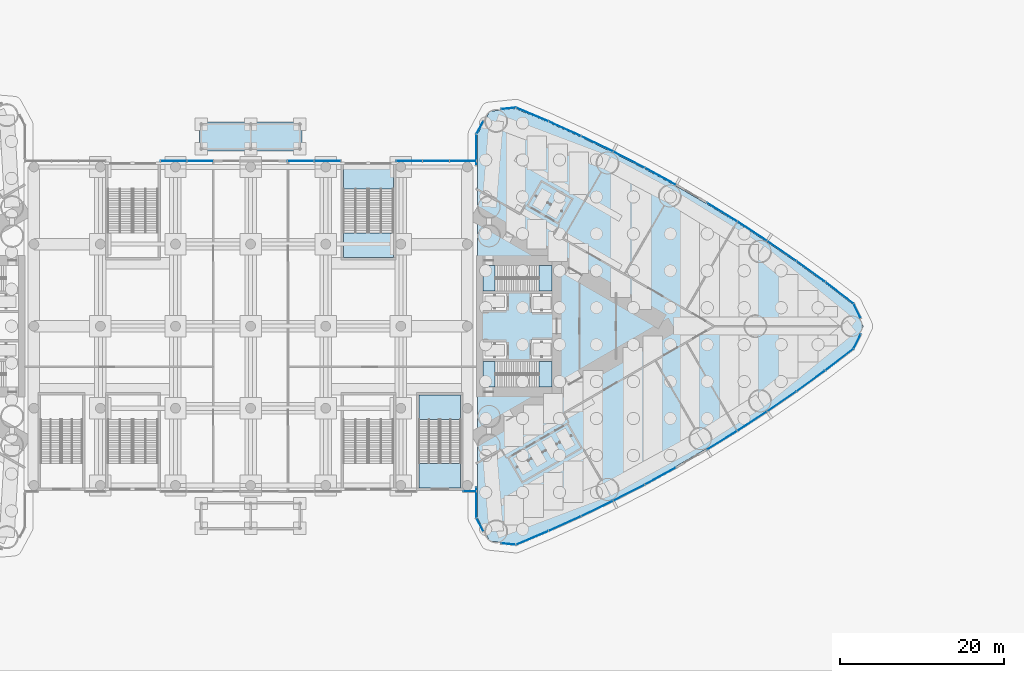
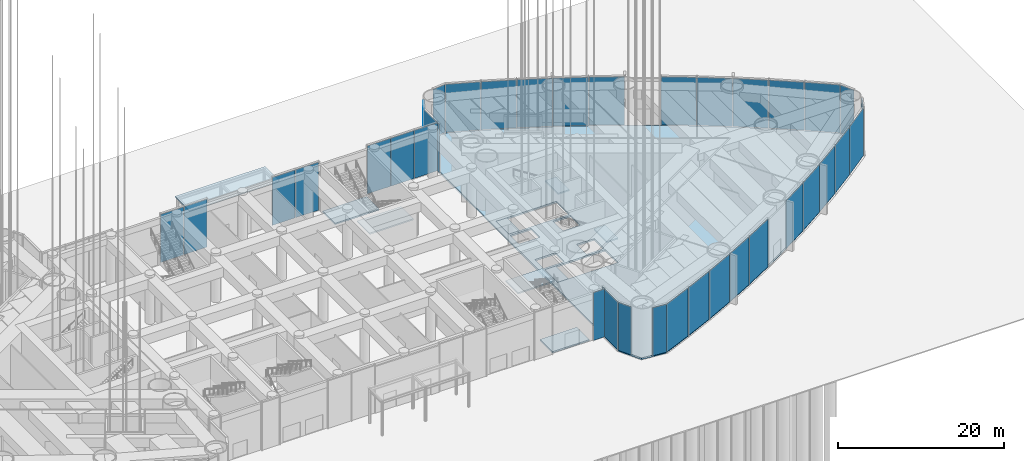
# One storey, part 19 of 43: 36 plates, 10 slabs, 14 elements without a shape of their own.
"""IFC4 building model written with IfcOpenShell, lengths in metres."""

from ifc_helpers import new_model, si_unit, direction, frame, origin, origin_2d, place, context, subcontext, project, spatial, polyline, rectangle, outline, extrude, material, layer, layer_set, type_object, element, aggregate, save


model = new_model("IFC4")

# Units and contexts
model_context = context("Model", 3, precision=1e-05, world=origin(), true_north=direction((0.0, 1.0)))
body_context = subcontext(model_context, "Body", "Model", "MODEL_VIEW")
ifc_project = project(units=[si_unit("LENGTHUNIT", "METRE"), si_unit("AREAUNIT", "SQUARE_METRE"), si_unit("VOLUMEUNIT", "CUBIC_METRE"), si_unit("PLANEANGLEUNIT", "RADIAN"), si_unit("MASSUNIT", "GRAM", prefix="KILO")], contexts=[model_context])

# Site, building, storey
site_placement = place(None, origin())
site = spatial("IfcSite", under=ifc_project, at=site_placement, CompositionType="ELEMENT")
building_placement = place(site_placement, origin())
building = spatial("IfcBuilding", under=site, at=building_placement, Name="Lancet Gate Hotel", CompositionType="ELEMENT")
storey_placement = place(building_placement, origin())
storey = spatial("IfcBuildingStorey", under=building, at=storey_placement, Name="L00", CompositionType="ELEMENT", Elevation=0.0)

# Slabs
ifc_material_1 = material(Name="Concrete C40/50", Category="concrete")
ifc_layer_1 = layer(ifc_material_1, 0.14990234375)
ifc_layer_set_1 = layer_set([ifc_layer_1], Name="Canopy roof slab 150")
slab_type_1 = type_object("IfcSlabType", Name="Canopy roof slab 150", PredefinedType="ROOF", material=ifc_layer_set_1)
slab_1_placement = place(storey_placement, frame((0.0, 0.0, 5.050048828125)))
element("IfcSlab", 1, at=slab_1_placement, inside=storey, type_object=slab_type_1, Name="Concourse entrance canopy N", PredefinedType="ROOF", context=body_context, shape_type="SweptSolid", body=[
    extrude(outline(polyline([(6.25, 21.35009765625), (6.25, 24.85009765625), (-6.25, 24.85009765625), (-6.25, 21.35009765625), (6.25, 21.35009765625)])), origin(), (0.0, 0.0, 1.0), 0.14990234375),
])
ifc_material_2 = material(Name="Concrete C40/50", Category="concrete")
ifc_layer_2 = layer(ifc_material_2, 0.25)
ifc_layer_set_2 = layer_set([ifc_layer_2], Name="Ground slab 250")
slab_type_2 = type_object("IfcSlabType", Name="Ground slab 250", PredefinedType="BASESLAB", material=ifc_layer_set_2)
slab_2_placement = place(storey_placement, frame((0.0, 0.0, -0.25)))
element("IfcSlab", 2, at=slab_2_placement, inside=storey, type_object=slab_type_2, Name="T2 L00 floor slab", PredefinedType="BASESLAB", context=body_context, shape_type="SweptSolid", body=[
    extrude(outline(polyline([(27.6201171875, -23.35498046875), (29.12158203125, -26.175537109375), (32.299072265625, -26.5048828125), (36.26708984375, -24.833740234375), (40.2177734375, -23.050048828125), (44.121826171875, -21.16650390625), (47.9765625, -19.18408203125), (51.77978515625, -17.104248046875), (55.528564453125, -14.92822265625), (59.220947265625, -12.657470703125), (62.854248046875, -10.29345703125), (66.42626953125, -7.837890625), (69.934814453125, -5.292236328125), (73.355712890625, -2.67431640625), (74.65576171875, 0.0), (73.355712890625, 2.67431640625), (69.934814453125, 5.292236328125), (66.42626953125, 7.837890625), (62.854248046875, 10.29345703125), (59.220947265625, 12.657470703125), (55.528564453125, 14.92822265625), (51.77978515625, 17.104248046875), (47.9765625, 19.18408203125), (44.121826171875, 21.16650390625), (40.2177734375, 23.050048828125), (36.26708984375, 24.833740234375), (32.299072265625, 26.5048828125), (29.12158203125, 26.175537109375), (27.6201171875, 23.35498046875), (27.6201171875, -23.35498046875)]), holes=[polyline([(28.300048828125, -7.39990234375), (36.699951171875, -7.39990234375), (36.699951171875, -4.300048828125), (28.300048828125, -4.300048828125), (28.300048828125, -7.39990234375)]), polyline([(28.300048828125, -1.89990234375), (28.300048828125, -4.0), (31.199951171875, -4.0), (31.199951171875, -1.89990234375), (28.300048828125, -1.89990234375)]), polyline([(34.25, -1.64990234375), (34.25, -4.0), (36.699951171875, -4.0), (36.699951171875, -1.64990234375), (34.25, -1.64990234375)]), polyline([(34.25, 1.64990234375), (36.699951171875, 1.64990234375), (36.699951171875, 4.0), (34.25, 4.0), (34.25, 1.64990234375)]), polyline([(28.300048828125, 4.0), (28.300048828125, 1.89990234375), (31.199951171875, 1.89990234375), (31.199951171875, 4.0), (28.300048828125, 4.0)]), polyline([(28.300048828125, 7.39990234375), (28.300048828125, 4.300048828125), (36.699951171875, 4.300048828125), (36.699951171875, 7.39990234375), (28.300048828125, 7.39990234375)])]), origin(), (0.0, 0.0, 1.0), 0.25),
])

# Curtain wall, plates
ifc_material_3 = material(Name="Aluminium curtain wall", Category="aluminium")
curtain_wall_type = type_object("IfcCurtainWallType", Name="Podium curtain wall", PredefinedType="USERDEFINED", material=ifc_material_3)
curtain_wall_1_placement = place(storey_placement, origin())
curtain_wall_1 = element("IfcCurtainWall", 3, at=curtain_wall_1_placement, inside=storey, type_object=curtain_wall_type, Name="T2 L00 curtain wall 1", ObjectType="UNITISED CURTAIN WALL", PredefinedType="USERDEFINED")
ifc_material_4 = material(Name="Glass double glazed unit 10-16-10", Category="glass")
ifc_layer_3 = layer(ifc_material_4, 0.035888671875)
ifc_layer_set_3 = layer_set([ifc_layer_3], Name="Podium vision panel")
plate_type = type_object("IfcPlateType", Name="Podium vision panel", PredefinedType="CURTAIN_PANEL", material=ifc_layer_set_3)
plate_1_placement = place(storey_placement, frame((27.5, -21.48681640625, 0.0), z_axis=(0.0, 0.0, 1.0), x_axis=(0.0, -1.0, 0.0)))
plate_1 = element("IfcPlate", 4, at=plate_1_placement, type_object=plate_type, Name="T2 L00 curtain wall 1 panel 1", PredefinedType="CURTAIN_PANEL", context=body_context, shape_type="SweptSolid", body=[
    extrude(rectangle(XDim=3.731201171875, YDim=0.035888671875, at=origin_2d()), origin(), (0.0, 0.0, 1.0), 7.050048828125),
])
plate_2_placement = place(storey_placement, frame((27.933349609375, -24.19873046875, 0.0), z_axis=(0.0, 0.0, 1.0), x_axis=(0.469897827284, -0.882720811987, 0.0)))
plate_2 = element("IfcPlate", 5, at=plate_2_placement, type_object=plate_type, Name="T2 L00 curtain wall 1 panel 2", PredefinedType="CURTAIN_PANEL", context=body_context, shape_type="SweptSolid", body=[
    extrude(rectangle(XDim=1.779052734375, YDim=0.035888671875, at=origin_2d()), origin(), (0.0, 0.0, 1.0), 7.050048828125),
])
aggregate(curtain_wall_1, [plate_1, plate_2])

curtain_wall_2_placement = place(storey_placement, origin())
curtain_wall_2 = element("IfcCurtainWall", 6, at=curtain_wall_2_placement, inside=storey, type_object=curtain_wall_type, Name="T2 L00 curtain wall 2", ObjectType="UNITISED CURTAIN WALL", PredefinedType="USERDEFINED")
plate_3_placement = place(storey_placement, frame((31.400634765625, -26.532470703125, 0.0), z_axis=(0.0, 0.0, 1.0), x_axis=(0.994672262412, -0.10308778001, 0.0)))
plate_3 = element("IfcPlate", 7, at=plate_3_placement, type_object=plate_type, Name="T2 L00 curtain wall 2 panel 1", PredefinedType="CURTAIN_PANEL", context=body_context, shape_type="SweptSolid", body=[
    extrude(rectangle(XDim=1.7783203125, YDim=0.035888671875, at=origin_2d()), origin(), (0.0, 0.0, 1.0), 7.050048828125),
])
plate_4_placement = place(storey_placement, frame((34.316162109375, -25.78564453125, 0.0), z_axis=(0.0, 0.0, 1.0), x_axis=(0.92159330598, 0.38815689917, 0.0)))
plate_4 = element("IfcPlate", 8, at=plate_4_placement, type_object=plate_type, Name="T2 L00 curtain wall 2 panel 2", PredefinedType="CURTAIN_PANEL", context=body_context, shape_type="SweptSolid", body=[
    extrude(rectangle(XDim=4.272705078125, YDim=0.035888671875, at=origin_2d()), origin(), (0.0, 0.0, 1.0), 7.050048828125),
])
plate_5_placement = place(storey_placement, frame((38.291748046875, -24.05126953125, 0.0), z_axis=(0.0, 0.0, 1.0), x_axis=(0.911415640556, 0.41148697446, 0.0)))
plate_5 = element("IfcPlate", 9, at=plate_5_placement, type_object=plate_type, Name="T2 L00 curtain wall 2 panel 3", PredefinedType="CURTAIN_PANEL", context=body_context, shape_type="SweptSolid", body=[
    extrude(rectangle(XDim=4.272705078125, YDim=0.035888671875, at=origin_2d()), origin(), (0.0, 0.0, 1.0), 7.050048828125),
])
plate_6_placement = place(storey_placement, frame((42.221923828125, -22.21630859375, 0.0), z_axis=(0.0, 0.0, 1.0), x_axis=(0.90064748964, 0.434550456686, 0.0)))
plate_6 = element("IfcPlate", 10, at=plate_6_placement, type_object=plate_type, Name="T2 L00 curtain wall 2 panel 4", PredefinedType="CURTAIN_PANEL", context=body_context, shape_type="SweptSolid", body=[
    extrude(rectangle(XDim=4.272705078125, YDim=0.035888671875, at=origin_2d()), origin(), (0.0, 0.0, 1.0), 7.050048828125),
])
plate_7_placement = place(storey_placement, frame((46.10400390625, -20.281982421875, 0.0), z_axis=(0.0, 0.0, 1.0), x_axis=(0.889295829671, 0.457332403541, 0.0)))
plate_7 = element("IfcPlate", 11, at=plate_7_placement, type_object=plate_type, Name="T2 L00 curtain wall 2 panel 5", PredefinedType="CURTAIN_PANEL", context=body_context, shape_type="SweptSolid", body=[
    extrude(rectangle(XDim=4.272705078125, YDim=0.035888671875, at=origin_2d()), origin(), (0.0, 0.0, 1.0), 7.050048828125),
])
plate_8_placement = place(storey_placement, frame((49.935791015625, -18.249267578125, 0.0), z_axis=(0.0, 0.0, 1.0), x_axis=(0.877368015134, 0.47981805512, 0.0)))
plate_8 = element("IfcPlate", 12, at=plate_8_placement, type_object=plate_type, Name="T2 L00 curtain wall 2 panel 6", PredefinedType="CURTAIN_PANEL", context=body_context, shape_type="SweptSolid", body=[
    extrude(rectangle(XDim=4.272705078125, YDim=0.035888671875, at=origin_2d()), origin(), (0.0, 0.0, 1.0), 7.050048828125),
])
aggregate(curtain_wall_2, [plate_3, plate_4, plate_5, plate_6, plate_7, plate_8])

curtain_wall_3_placement = place(storey_placement, origin())
curtain_wall_3 = element("IfcCurtainWall", 13, at=curtain_wall_3_placement, inside=storey, type_object=curtain_wall_type, Name="T2 L00 curtain wall 3", ObjectType="UNITISED CURTAIN WALL", PredefinedType="USERDEFINED")
plate_9_placement = place(storey_placement, frame((57.437744140625, -13.89501953125, 0.0), z_axis=(0.0, 0.0, 1.0), x_axis=(0.851815201664, 0.523842402077, 0.0)))
plate_9 = element("IfcPlate", 14, at=plate_9_placement, type_object=plate_type, Name="T2 L00 curtain wall 3 panel 1", PredefinedType="CURTAIN_PANEL", context=body_context, shape_type="SweptSolid", body=[
    extrude(rectangle(XDim=4.272705078125, YDim=0.035888671875, at=origin_2d()), origin(), (0.0, 0.0, 1.0), 7.050048828125),
])
plate_10_placement = place(storey_placement, frame((61.10302734375, -11.576171875, 0.0), z_axis=(0.0, 0.0, 1.0), x_axis=(0.838206757819, 0.54535257508, 0.0)))
plate_10 = element("IfcPlate", 15, at=plate_10_placement, type_object=plate_type, Name="T2 L00 curtain wall 3 panel 2", PredefinedType="CURTAIN_PANEL", context=body_context, shape_type="SweptSolid", body=[
    extrude(rectangle(XDim=4.272705078125, YDim=0.035888671875, at=origin_2d()), origin(), (0.0, 0.0, 1.0), 7.050048828125),
])
plate_11_placement = place(storey_placement, frame((64.708251953125, -9.16455078125, 0.0), z_axis=(0.0, 0.0, 1.0), x_axis=(0.824055258853, 0.566509426538, 0.0)))
plate_11 = element("IfcPlate", 16, at=plate_11_placement, type_object=plate_type, Name="T2 L00 curtain wall 3 panel 3", PredefinedType="CURTAIN_PANEL", context=body_context, shape_type="SweptSolid", body=[
    extrude(rectangle(XDim=4.272705078125, YDim=0.035888671875, at=origin_2d()), origin(), (0.0, 0.0, 1.0), 7.050048828125),
])
plate_12_placement = place(storey_placement, frame((68.2509765625, -6.662109375, 0.0), z_axis=(0.0, 0.0, 1.0), x_axis=(0.809369873203, 0.587299249405, 0.0)))
plate_12 = element("IfcPlate", 17, at=plate_12_placement, type_object=plate_type, Name="T2 L00 curtain wall 3 panel 4", PredefinedType="CURTAIN_PANEL", context=body_context, shape_type="SweptSolid", body=[
    extrude(rectangle(XDim=4.272705078125, YDim=0.035888671875, at=origin_2d()), origin(), (0.0, 0.0, 1.0), 7.050048828125),
])
plate_13_placement = place(storey_placement, frame((71.72900390625, -4.0703125, 0.0), z_axis=(0.0, 0.0, 1.0), x_axis=(0.794160115195, 0.607708574428, 0.0)))
plate_13 = element("IfcPlate", 18, at=plate_13_placement, type_object=plate_type, Name="T2 L00 curtain wall 3 panel 5", PredefinedType="CURTAIN_PANEL", context=body_context, shape_type="SweptSolid", body=[
    extrude(rectangle(XDim=4.272705078125, YDim=0.035888671875, at=origin_2d()), origin(), (0.0, 0.0, 1.0), 7.050048828125),
])
plate_14_placement = place(storey_placement, frame((73.88671875, -1.856201171875, 0.0), z_axis=(0.0, 0.0, 1.0), x_axis=(0.437169070119, 0.899379343843, 0.0)))
plate_14 = element("IfcPlate", 19, at=plate_14_placement, type_object=plate_type, Name="T2 L00 curtain wall 3 panel 6", PredefinedType="CURTAIN_PANEL", context=body_context, shape_type="SweptSolid", body=[
    extrude(rectangle(XDim=1.92724609375, YDim=0.035888671875, at=origin_2d()), origin(), (0.0, 0.0, 1.0), 7.050048828125),
])
aggregate(curtain_wall_3, [plate_9, plate_10, plate_11, plate_12, plate_13, plate_14])

curtain_wall_4_placement = place(storey_placement, origin())
curtain_wall_4 = element("IfcCurtainWall", 20, at=curtain_wall_4_placement, inside=storey, type_object=curtain_wall_type, Name="T2 L00 curtain wall 4", ObjectType="UNITISED CURTAIN WALL", PredefinedType="USERDEFINED")
plate_15_placement = place(storey_placement, frame((73.88671875, 1.856201171875, 0.0), z_axis=(0.0, 0.0, 1.0), x_axis=(-0.437169070119, 0.899379343843, 0.0)))
plate_15 = element("IfcPlate", 21, at=plate_15_placement, type_object=plate_type, Name="T2 L00 curtain wall 4 panel 1", PredefinedType="CURTAIN_PANEL", context=body_context, shape_type="SweptSolid", body=[
    extrude(rectangle(XDim=1.92724609375, YDim=0.035888671875, at=origin_2d()), origin(), (0.0, 0.0, 1.0), 7.050048828125),
])
plate_16_placement = place(storey_placement, frame((71.72900390625, 4.0703125, 0.0), z_axis=(0.0, 0.0, 1.0), x_axis=(-0.794160115195, 0.607708574428, 0.0)))
plate_16 = element("IfcPlate", 22, at=plate_16_placement, type_object=plate_type, Name="T2 L00 curtain wall 4 panel 2", PredefinedType="CURTAIN_PANEL", context=body_context, shape_type="SweptSolid", body=[
    extrude(rectangle(XDim=4.272705078125, YDim=0.035888671875, at=origin_2d()), origin(), (0.0, 0.0, 1.0), 7.050048828125),
])
plate_17_placement = place(storey_placement, frame((68.2509765625, 6.662109375, 0.0), z_axis=(0.0, 0.0, 1.0), x_axis=(-0.809369873203, 0.587299249405, 0.0)))
plate_17 = element("IfcPlate", 23, at=plate_17_placement, type_object=plate_type, Name="T2 L00 curtain wall 4 panel 3", PredefinedType="CURTAIN_PANEL", context=body_context, shape_type="SweptSolid", body=[
    extrude(rectangle(XDim=4.272705078125, YDim=0.035888671875, at=origin_2d()), origin(), (0.0, 0.0, 1.0), 7.050048828125),
])
plate_18_placement = place(storey_placement, frame((64.708251953125, 9.16455078125, 0.0), z_axis=(0.0, 0.0, 1.0), x_axis=(-0.824055258853, 0.566509426538, 0.0)))
plate_18 = element("IfcPlate", 24, at=plate_18_placement, type_object=plate_type, Name="T2 L00 curtain wall 4 panel 4", PredefinedType="CURTAIN_PANEL", context=body_context, shape_type="SweptSolid", body=[
    extrude(rectangle(XDim=4.272705078125, YDim=0.035888671875, at=origin_2d()), origin(), (0.0, 0.0, 1.0), 7.050048828125),
])
plate_19_placement = place(storey_placement, frame((61.10302734375, 11.576171875, 0.0), z_axis=(0.0, 0.0, 1.0), x_axis=(-0.838206757819, 0.54535257508, 0.0)))
plate_19 = element("IfcPlate", 25, at=plate_19_placement, type_object=plate_type, Name="T2 L00 curtain wall 4 panel 5", PredefinedType="CURTAIN_PANEL", context=body_context, shape_type="SweptSolid", body=[
    extrude(rectangle(XDim=4.272705078125, YDim=0.035888671875, at=origin_2d()), origin(), (0.0, 0.0, 1.0), 7.050048828125),
])
plate_20_placement = place(storey_placement, frame((57.437744140625, 13.89501953125, 0.0), z_axis=(0.0, 0.0, 1.0), x_axis=(-0.851815201664, 0.523842402077, 0.0)))
plate_20 = element("IfcPlate", 26, at=plate_20_placement, type_object=plate_type, Name="T2 L00 curtain wall 4 panel 6", PredefinedType="CURTAIN_PANEL", context=body_context, shape_type="SweptSolid", body=[
    extrude(rectangle(XDim=4.272705078125, YDim=0.035888671875, at=origin_2d()), origin(), (0.0, 0.0, 1.0), 7.050048828125),
])
aggregate(curtain_wall_4, [plate_15, plate_16, plate_17, plate_18, plate_19, plate_20])

curtain_wall_5_placement = place(storey_placement, origin())
curtain_wall_5 = element("IfcCurtainWall", 27, at=curtain_wall_5_placement, inside=storey, type_object=curtain_wall_type, Name="T2 L00 curtain wall 5", ObjectType="UNITISED CURTAIN WALL", PredefinedType="USERDEFINED")
plate_21_placement = place(storey_placement, frame((49.935791015625, 18.249267578125, 0.0), z_axis=(0.0, 0.0, 1.0), x_axis=(-0.877368015134, 0.47981805512, 0.0)))
plate_21 = element("IfcPlate", 28, at=plate_21_placement, type_object=plate_type, Name="T2 L00 curtain wall 5 panel 1", PredefinedType="CURTAIN_PANEL", context=body_context, shape_type="SweptSolid", body=[
    extrude(rectangle(XDim=4.272705078125, YDim=0.035888671875, at=origin_2d()), origin(), (0.0, 0.0, 1.0), 7.050048828125),
])
plate_22_placement = place(storey_placement, frame((46.10400390625, 20.281982421875, 0.0), z_axis=(0.0, 0.0, 1.0), x_axis=(-0.889295829671, 0.457332403541, 0.0)))
plate_22 = element("IfcPlate", 29, at=plate_22_placement, type_object=plate_type, Name="T2 L00 curtain wall 5 panel 2", PredefinedType="CURTAIN_PANEL", context=body_context, shape_type="SweptSolid", body=[
    extrude(rectangle(XDim=4.272705078125, YDim=0.035888671875, at=origin_2d()), origin(), (0.0, 0.0, 1.0), 7.050048828125),
])
plate_23_placement = place(storey_placement, frame((42.221923828125, 22.21630859375, 0.0), z_axis=(0.0, 0.0, 1.0), x_axis=(-0.90064748964, 0.434550456686, 0.0)))
plate_23 = element("IfcPlate", 30, at=plate_23_placement, type_object=plate_type, Name="T2 L00 curtain wall 5 panel 3", PredefinedType="CURTAIN_PANEL", context=body_context, shape_type="SweptSolid", body=[
    extrude(rectangle(XDim=4.272705078125, YDim=0.035888671875, at=origin_2d()), origin(), (0.0, 0.0, 1.0), 7.050048828125),
])
plate_24_placement = place(storey_placement, frame((38.291748046875, 24.05126953125, 0.0), z_axis=(0.0, 0.0, 1.0), x_axis=(-0.911415640556, 0.41148697446, 0.0)))
plate_24 = element("IfcPlate", 31, at=plate_24_placement, type_object=plate_type, Name="T2 L00 curtain wall 5 panel 4", PredefinedType="CURTAIN_PANEL", context=body_context, shape_type="SweptSolid", body=[
    extrude(rectangle(XDim=4.272705078125, YDim=0.035888671875, at=origin_2d()), origin(), (0.0, 0.0, 1.0), 7.050048828125),
])
plate_25_placement = place(storey_placement, frame((34.316162109375, 25.78564453125, 0.0), z_axis=(0.0, 0.0, 1.0), x_axis=(-0.92159330598, 0.38815689917, 0.0)))
plate_25 = element("IfcPlate", 32, at=plate_25_placement, type_object=plate_type, Name="T2 L00 curtain wall 5 panel 5", PredefinedType="CURTAIN_PANEL", context=body_context, shape_type="SweptSolid", body=[
    extrude(rectangle(XDim=4.272705078125, YDim=0.035888671875, at=origin_2d()), origin(), (0.0, 0.0, 1.0), 7.050048828125),
])
plate_26_placement = place(storey_placement, frame((31.400634765625, 26.532470703125, 0.0), z_axis=(0.0, 0.0, 1.0), x_axis=(-0.994672262412, -0.10308778001, 0.0)))
plate_26 = element("IfcPlate", 33, at=plate_26_placement, type_object=plate_type, Name="T2 L00 curtain wall 5 panel 6", PredefinedType="CURTAIN_PANEL", context=body_context, shape_type="SweptSolid", body=[
    extrude(rectangle(XDim=1.7783203125, YDim=0.035888671875, at=origin_2d()), origin(), (0.0, 0.0, 1.0), 7.050048828125),
])
aggregate(curtain_wall_5, [plate_21, plate_22, plate_23, plate_24, plate_25, plate_26])

curtain_wall_6_placement = place(storey_placement, origin())
curtain_wall_6 = element("IfcCurtainWall", 34, at=curtain_wall_6_placement, inside=storey, type_object=curtain_wall_type, Name="T2 L00 curtain wall 6", ObjectType="UNITISED CURTAIN WALL", PredefinedType="USERDEFINED")
plate_27_placement = place(storey_placement, frame((27.933349609375, 24.19873046875, 0.0), z_axis=(0.0, 0.0, 1.0), x_axis=(-0.469897827284, -0.882720811987, 0.0)))
plate_27 = element("IfcPlate", 35, at=plate_27_placement, type_object=plate_type, Name="T2 L00 curtain wall 6 panel 1", PredefinedType="CURTAIN_PANEL", context=body_context, shape_type="SweptSolid", body=[
    extrude(rectangle(XDim=1.779052734375, YDim=0.035888671875, at=origin_2d()), origin(), (0.0, 0.0, 1.0), 7.050048828125),
])
plate_28_placement = place(storey_placement, frame((27.5, 21.48681640625, 0.0), z_axis=(0.0, 0.0, 1.0), x_axis=(0.0, -1.0, 0.0)))
plate_28 = element("IfcPlate", 36, at=plate_28_placement, type_object=plate_type, Name="T2 L00 curtain wall 6 panel 2", PredefinedType="CURTAIN_PANEL", context=body_context, shape_type="SweptSolid", body=[
    extrude(rectangle(XDim=3.731201171875, YDim=0.035888671875, at=origin_2d()), origin(), (0.0, 0.0, 1.0), 7.050048828125),
])
aggregate(curtain_wall_6, [plate_27, plate_28])

# Curtain wall, plate
curtain_wall_7_placement = place(storey_placement, origin())
curtain_wall_7 = element("IfcCurtainWall", 37, at=curtain_wall_7_placement, inside=storey, type_object=curtain_wall_type, Name="Podium L00 curtain wall S6", ObjectType="UNITISED CURTAIN WALL", PredefinedType="USERDEFINED")
plate_29_placement = place(storey_placement, frame((26.699951171875, -20.1201171875, 0.0), z_axis=(0.0, 0.0, 1.0), x_axis=(1.0, 0.0, 0.0)))
plate_29 = element("IfcPlate", 38, at=plate_29_placement, type_object=plate_type, Name="Podium L00 curtain wall S6 panel 1", PredefinedType="CURTAIN_PANEL", context=body_context, shape_type="SweptSolid", body=[
    extrude(rectangle(XDim=1.534912109375, YDim=0.035888671875, at=origin_2d()), origin(), (0.0, 0.0, 1.0), 7.050048828125),
])
aggregate(curtain_wall_7, [plate_29])

# Curtain wall, plates
curtain_wall_8_placement = place(storey_placement, origin())
curtain_wall_8 = element("IfcCurtainWall", 39, at=curtain_wall_8_placement, inside=storey, type_object=curtain_wall_type, Name="Podium L00 curtain wall N2", ObjectType="UNITISED CURTAIN WALL", PredefinedType="USERDEFINED")
plate_30_placement = place(storey_placement, frame((-6.125, 20.1201171875, 0.0), z_axis=(0.0, 0.0, 1.0), x_axis=(-1.0, 0.0, 0.0)))
plate_30 = element("IfcPlate", 40, at=plate_30_placement, type_object=plate_type, Name="Podium L00 curtain wall N2 panel 1", PredefinedType="CURTAIN_PANEL", context=body_context, shape_type="SweptSolid", body=[
    extrude(rectangle(XDim=3.18505859375, YDim=0.035888671875, at=origin_2d()), origin(), (0.0, 0.0, 1.0), 7.050048828125),
])
plate_31_placement = place(storey_placement, frame((-9.375, 20.1201171875, 0.0), z_axis=(0.0, 0.0, 1.0), x_axis=(-1.0, 0.0, 0.0)))
plate_31 = element("IfcPlate", 41, at=plate_31_placement, type_object=plate_type, Name="Podium L00 curtain wall N2 panel 2", PredefinedType="CURTAIN_PANEL", context=body_context, shape_type="SweptSolid", body=[
    extrude(rectangle(XDim=3.18505859375, YDim=0.035888671875, at=origin_2d()), origin(), (0.0, 0.0, 1.0), 7.050048828125),
])
aggregate(curtain_wall_8, [plate_30, plate_31])

curtain_wall_9_placement = place(storey_placement, origin())
curtain_wall_9 = element("IfcCurtainWall", 42, at=curtain_wall_9_placement, inside=storey, type_object=curtain_wall_type, Name="Podium L00 curtain wall N3", ObjectType="UNITISED CURTAIN WALL", PredefinedType="USERDEFINED")
plate_32_placement = place(storey_placement, frame((9.375, 20.1201171875, 0.0), z_axis=(0.0, 0.0, 1.0), x_axis=(-1.0, 0.0, 0.0)))
plate_32 = element("IfcPlate", 43, at=plate_32_placement, type_object=plate_type, Name="Podium L00 curtain wall N3 panel 1", PredefinedType="CURTAIN_PANEL", context=body_context, shape_type="SweptSolid", body=[
    extrude(rectangle(XDim=3.18505859375, YDim=0.035888671875, at=origin_2d()), origin(), (0.0, 0.0, 1.0), 7.050048828125),
])
plate_33_placement = place(storey_placement, frame((6.125, 20.1201171875, 0.0), z_axis=(0.0, 0.0, 1.0), x_axis=(-1.0, 0.0, 0.0)))
plate_33 = element("IfcPlate", 44, at=plate_33_placement, type_object=plate_type, Name="Podium L00 curtain wall N3 panel 2", PredefinedType="CURTAIN_PANEL", context=body_context, shape_type="SweptSolid", body=[
    extrude(rectangle(XDim=3.18505859375, YDim=0.035888671875, at=origin_2d()), origin(), (0.0, 0.0, 1.0), 7.050048828125),
])
aggregate(curtain_wall_9, [plate_32, plate_33])

curtain_wall_10_placement = place(storey_placement, origin())
curtain_wall_10 = element("IfcCurtainWall", 45, at=curtain_wall_10_placement, inside=storey, type_object=curtain_wall_type, Name="Podium L00 curtain wall N4", ObjectType="UNITISED CURTAIN WALL", PredefinedType="USERDEFINED")
plate_34_placement = place(storey_placement, frame((25.86669921875, 20.1201171875, 0.0), z_axis=(0.0, 0.0, 1.0), x_axis=(-1.0, 0.0, 0.0)))
plate_34 = element("IfcPlate", 46, at=plate_34_placement, type_object=plate_type, Name="Podium L00 curtain wall N4 panel 1", PredefinedType="CURTAIN_PANEL", context=body_context, shape_type="SweptSolid", body=[
    extrude(rectangle(XDim=3.20166015625, YDim=0.035888671875, at=origin_2d()), origin(), (0.0, 0.0, 1.0), 7.050048828125),
])
plate_35_placement = place(storey_placement, frame((22.60009765625, 20.1201171875, 0.0), z_axis=(0.0, 0.0, 1.0), x_axis=(-1.0, 0.0, 0.0)))
plate_35 = element("IfcPlate", 47, at=plate_35_placement, type_object=plate_type, Name="Podium L00 curtain wall N4 panel 2", PredefinedType="CURTAIN_PANEL", context=body_context, shape_type="SweptSolid", body=[
    extrude(rectangle(XDim=3.20166015625, YDim=0.035888671875, at=origin_2d()), origin(), (0.0, 0.0, 1.0), 7.050048828125),
])
plate_36_placement = place(storey_placement, frame((19.333251953125, 20.1201171875, 0.0), z_axis=(0.0, 0.0, 1.0), x_axis=(-1.0, 0.0, 0.0)))
plate_36 = element("IfcPlate", 48, at=plate_36_placement, type_object=plate_type, Name="Podium L00 curtain wall N4 panel 3", PredefinedType="CURTAIN_PANEL", context=body_context, shape_type="SweptSolid", body=[
    extrude(rectangle(XDim=3.20166015625, YDim=0.035888671875, at=origin_2d()), origin(), (0.0, 0.0, 1.0), 7.050048828125),
])
aggregate(curtain_wall_10, [plate_34, plate_35, plate_36])

# Stair, slabs
ifc_material_5 = material(Name="Exit stair 40 risers 1500")
stair_type_1 = type_object("IfcStairType", Name="Exit stair 40 risers 1500", PredefinedType="HALF_TURN_STAIR", material=ifc_material_5)
stair_1_placement = place(storey_placement, origin())
stair_1 = element("IfcStair", 49, at=stair_1_placement, inside=storey, type_object=stair_type_1, Name="T2 stair 1 L00", PredefinedType="HALF_TURN_STAIR")
ifc_material_6 = material(Name="Concrete C40/50", Category="concrete")
ifc_layer_4 = layer(ifc_material_6, 0.199951171875)
ifc_layer_set_4 = layer_set([ifc_layer_4], Name="Stair landing 200")
slab_type_3 = type_object("IfcSlabType", Name="Stair landing 200", PredefinedType="LANDING", material=ifc_layer_set_4)
slab_3_placement = place(storey_placement, frame((0.0, 0.0, -0.199951171875)))
slab_3 = element("IfcSlab", 50, at=slab_3_placement, type_object=slab_type_3, Name="ST3 landing 1", PredefinedType="LANDING", context=body_context, shape_type="SweptSolid", body=[
    extrude(outline(polyline([(28.300048828125, -7.39990234375), (29.800048828125, -7.39990234375), (29.800048828125, -4.300048828125), (28.300048828125, -4.300048828125), (28.300048828125, -7.39990234375)])), origin(), (0.0, 0.0, 1.0), 0.199951171875),
])
slab_4_placement = place(storey_placement, frame((0.0, 0.0, 3.39990234375)))
slab_4 = element("IfcSlab", 51, at=slab_4_placement, type_object=slab_type_3, Name="ST3 landing 2", PredefinedType="LANDING", context=body_context, shape_type="SweptSolid", body=[
    extrude(outline(polyline([(35.1201171875, -7.39990234375), (36.699951171875, -7.39990234375), (36.699951171875, -4.300048828125), (35.1201171875, -4.300048828125), (35.1201171875, -7.39990234375)])), origin(), (0.0, 0.0, 1.0), 0.2001953125),
])
aggregate(stair_1, [slab_3, slab_4])

stair_2_placement = place(storey_placement, origin())
stair_2 = element("IfcStair", 52, at=stair_2_placement, inside=storey, type_object=stair_type_1, Name="T2 stair 2 L00", PredefinedType="HALF_TURN_STAIR")
slab_5_placement = place(storey_placement, frame((0.0, 0.0, -0.199951171875)))
slab_5 = element("IfcSlab", 53, at=slab_5_placement, type_object=slab_type_3, Name="ST4 landing 1", PredefinedType="LANDING", context=body_context, shape_type="SweptSolid", body=[
    extrude(outline(polyline([(28.300048828125, 4.300048828125), (29.800048828125, 4.300048828125), (29.800048828125, 7.39990234375), (28.300048828125, 7.39990234375), (28.300048828125, 4.300048828125)])), origin(), (0.0, 0.0, 1.0), 0.199951171875),
])
slab_6_placement = place(storey_placement, frame((0.0, 0.0, 3.39990234375)))
slab_6 = element("IfcSlab", 54, at=slab_6_placement, type_object=slab_type_3, Name="ST4 landing 2", PredefinedType="LANDING", context=body_context, shape_type="SweptSolid", body=[
    extrude(outline(polyline([(35.1201171875, 4.300048828125), (36.699951171875, 4.300048828125), (36.699951171875, 7.39990234375), (35.1201171875, 7.39990234375), (35.1201171875, 4.300048828125)])), origin(), (0.0, 0.0, 1.0), 0.2001953125),
])
aggregate(stair_2, [slab_5, slab_6])

ifc_material_7 = material(Name="Podium stair 40 risers 3000")
stair_type_2 = type_object("IfcStairType", Name="Podium stair 40 risers 3000", PredefinedType="HALF_TURN_STAIR", material=ifc_material_7)
stair_3_placement = place(storey_placement, origin())
stair_3 = element("IfcStair", 55, at=stair_3_placement, inside=storey, type_object=stair_type_2, Name="Podium stair PS2 L00", PredefinedType="HALF_TURN_STAIR")
slab_7_placement = place(storey_placement, frame((0.0, 0.0, -0.199951171875)))
slab_7 = element("IfcSlab", 56, at=slab_7_placement, type_object=slab_type_3, Name="PS2 landing 1", PredefinedType="LANDING", context=body_context, shape_type="SweptSolid", body=[
    extrude(outline(polyline([(11.300048828125, 16.699951171875), (17.39990234375, 16.699951171875), (17.39990234375, 19.699951171875), (11.300048828125, 19.699951171875), (11.300048828125, 16.699951171875)])), origin(), (0.0, 0.0, 1.0), 0.199951171875),
])
slab_8_placement = place(storey_placement, frame((0.0, 0.0, 3.39990234375)))
slab_8 = element("IfcSlab", 57, at=slab_8_placement, type_object=slab_type_3, Name="PS2 landing 2", PredefinedType="LANDING", context=body_context, shape_type="SweptSolid", body=[
    extrude(outline(polyline([(11.300048828125, 8.3798828125), (17.39990234375, 8.3798828125), (17.39990234375, 11.3798828125), (11.300048828125, 11.3798828125), (11.300048828125, 8.3798828125)])), origin(), (0.0, 0.0, 1.0), 0.2001953125),
])
aggregate(stair_3, [slab_7, slab_8])

ifc_material_8 = material(Name="Podium stair 40 risers 2500")
stair_type_3 = type_object("IfcStairType", Name="Podium stair 40 risers 2500", PredefinedType="HALF_TURN_STAIR", material=ifc_material_8)
stair_4_placement = place(storey_placement, origin())
stair_4 = element("IfcStair", 58, at=stair_4_placement, inside=storey, type_object=stair_type_3, Name="Podium stair PS5 L00", PredefinedType="HALF_TURN_STAIR")
slab_9_placement = place(storey_placement, frame((0.0, 0.0, -0.199951171875)))
slab_9 = element("IfcSlab", 59, at=slab_9_placement, type_object=slab_type_3, Name="PS5 landing 1", PredefinedType="LANDING", context=body_context, shape_type="SweptSolid", body=[
    extrude(outline(polyline([(20.5, -19.699951171875), (25.60009765625, -19.699951171875), (25.60009765625, -16.699951171875), (20.5, -16.699951171875), (20.5, -19.699951171875)])), origin(), (0.0, 0.0, 1.0), 0.199951171875),
])
slab_10_placement = place(storey_placement, frame((0.0, 0.0, 3.39990234375)))
slab_10 = element("IfcSlab", 60, at=slab_10_placement, type_object=slab_type_3, Name="PS5 landing 2", PredefinedType="LANDING", context=body_context, shape_type="SweptSolid", body=[
    extrude(outline(polyline([(20.5, -11.3798828125), (25.60009765625, -11.3798828125), (25.60009765625, -8.3798828125), (20.5, -8.3798828125), (20.5, -11.3798828125)])), origin(), (0.0, 0.0, 1.0), 0.2001953125),
])
aggregate(stair_4, [slab_9, slab_10])

save(model, "model.ifc")
